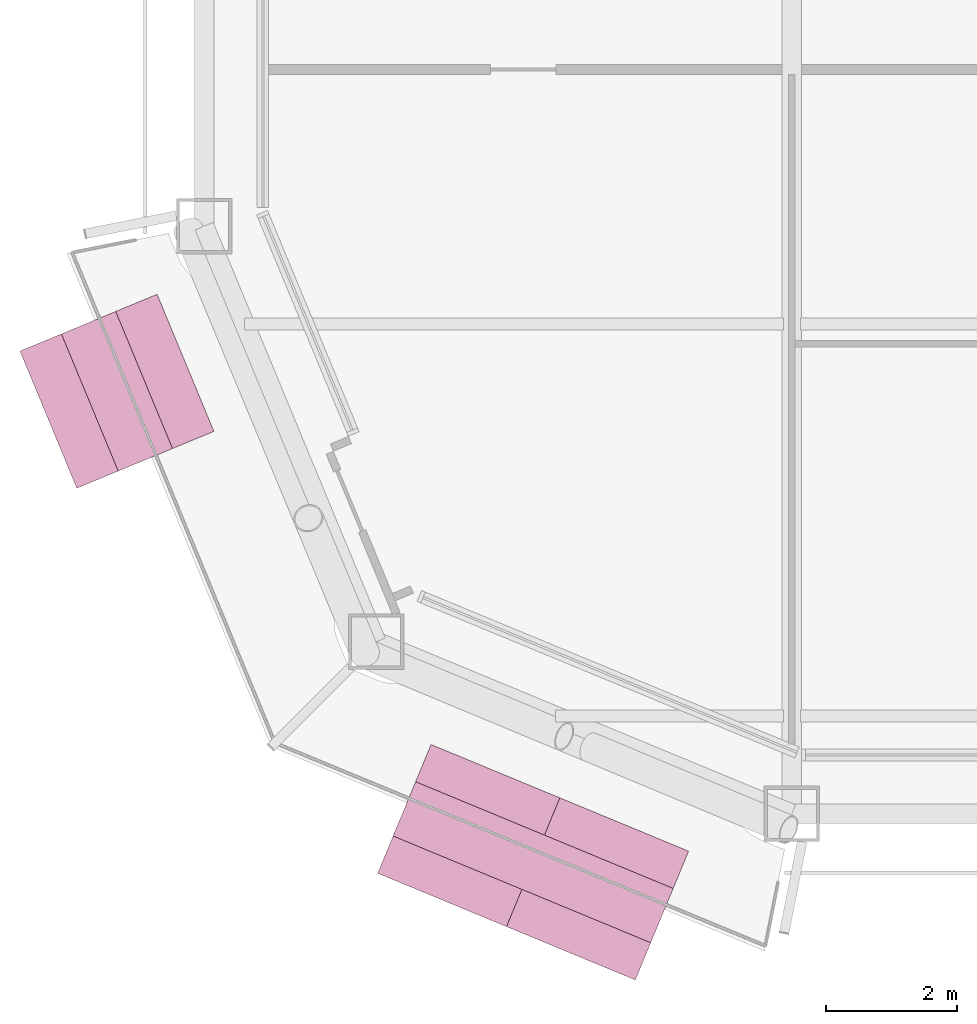
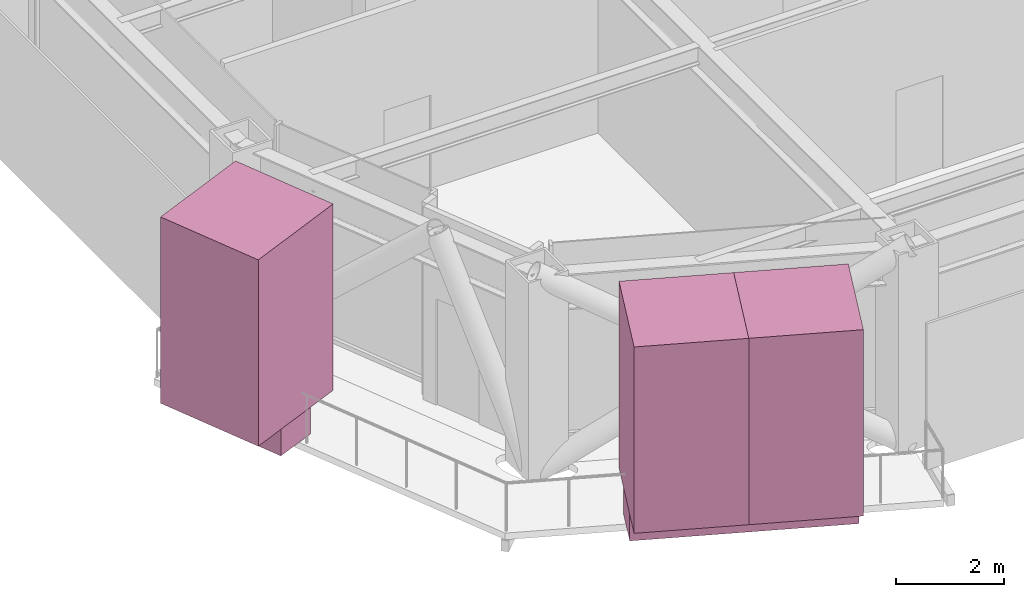
# One storey, part 23 of 23: 5 furnishings.
"""IFC4 building model written with IfcOpenShell, lengths in metres."""

from ifc_helpers import new_model, si_unit, direction, frame, origin, origin_2d, place, context, subcontext, project, spatial, rectangle, extrude, material, type_object, element, save


model = new_model("IFC4")

# Units and contexts
model_context = context("Model", 3, precision=1e-05, world=origin(), true_north=direction((0.0, 1.0)))
body_context = subcontext(model_context, "Body", "Model", "MODEL_VIEW")
ifc_project = project(units=[si_unit("LENGTHUNIT", "METRE"), si_unit("AREAUNIT", "SQUARE_METRE"), si_unit("VOLUMEUNIT", "CUBIC_METRE"), si_unit("PLANEANGLEUNIT", "RADIAN"), si_unit("MASSUNIT", "GRAM", prefix="KILO")], contexts=[model_context])

# Site, building, storey
site_placement = place(None, origin())
site = spatial("IfcSite", under=ifc_project, at=site_placement, CompositionType="ELEMENT")
building_placement = place(site_placement, origin())
building = spatial("IfcBuilding", under=site, at=building_placement, Name="Siwar Civic Tower", CompositionType="ELEMENT")
storey_placement = place(building_placement, frame((0.0, 0.0, 197.199951171875)))
storey = spatial("IfcBuildingStorey", under=building, at=storey_placement, Name="L42", CompositionType="ELEMENT", Elevation=197.199951171875)

# Furnishings
ifc_material_1 = material(Name="Planting soil and foliage")
furnishing_element_type_1 = type_object("IfcFurnishingElementType", Name="ENV-PLANTER", material=ifc_material_1)
furnishing_1_placement = place(storey_placement, frame((-28.333984375, -20.5283203125, 0.0), z_axis=(0.0, 0.0, 1.0), x_axis=(0.382683432365, -0.923879532511, 0.0)))
element("IfcFurnishingElement", 1, at=furnishing_1_placement, inside=storey, type_object=furnishing_element_type_1, Name="PLANTER SW 1", context=body_context, shape_type="SweptSolid", body=[
    extrude(rectangle(XDim=2.273193359375, YDim=0.89990234375, at=origin_2d()), origin(), (0.0, 0.0, 1.0), 0.60009765625),
])
furnishing_2_placement = place(storey_placement, frame((-21.960205078125, -27.740966796875, 0.0), z_axis=(0.0, 0.0, 1.0), x_axis=(0.923879532511, -0.382683432365, 0.0)))
element("IfcFurnishingElement", 2, at=furnishing_2_placement, inside=storey, type_object=furnishing_element_type_1, Name="PLANTER SW 2", context=body_context, shape_type="SweptSolid", body=[
    extrude(rectangle(XDim=4.270751953125, YDim=0.89990234375, at=origin_2d()), origin(), (0.0, 0.0, 1.0), 0.60009765625),
])
ifc_material_2 = material(Name="Planting soil and foliage")
furnishing_element_type_2 = type_object("IfcFurnishingElementType", Name="ENV-TREE", material=ifc_material_2)
furnishing_3_placement = place(storey_placement, frame((-28.333984375, -20.5283203125, 0.60009765625), z_axis=(0.0, 0.0, 1.0), x_axis=(0.382683432365, -0.923879532511, 0.0)))
element("IfcFurnishingElement", 3, at=furnishing_3_placement, inside=storey, type_object=furnishing_element_type_2, Name="PLANTER (TREE) SW 1.1", context=body_context, shape_type="SweptSolid", body=[
    extrude(rectangle(XDim=2.273193359375, YDim=2.273193359375, at=origin_2d()), origin(), (0.0, 0.0, 1.0), 4.199951171875),
])
for number, where, z_axis, x_axis, name in (
    (4, (-22.94677734375, -27.332275390625, 0.60009765625), (0.0, 0.0, 1.0), (0.923879532511, -0.382683432365, 0.0), "PLANTER (TREE) SW 2.1"),
    (5, (-20.973876953125, -28.1494140625, 0.60009765625), (0.0, 0.0, 1.0), (0.923879532511, -0.382683432365, 0.0), "PLANTER (TREE) SW 2.2"),
):
    element("IfcFurnishingElement", number, at=place(storey_placement, frame(where, z_axis=z_axis, x_axis=x_axis)), inside=storey, type_object=furnishing_element_type_2, Name=name, context=body_context, shape_type="SweptSolid", body=[
        extrude(rectangle(XDim=2.13525390625, YDim=2.13525390625, at=origin_2d()), origin(), (0.0, 0.0, 1.0), 4.199951171875),
    ])

save(model, "model.ifc")
